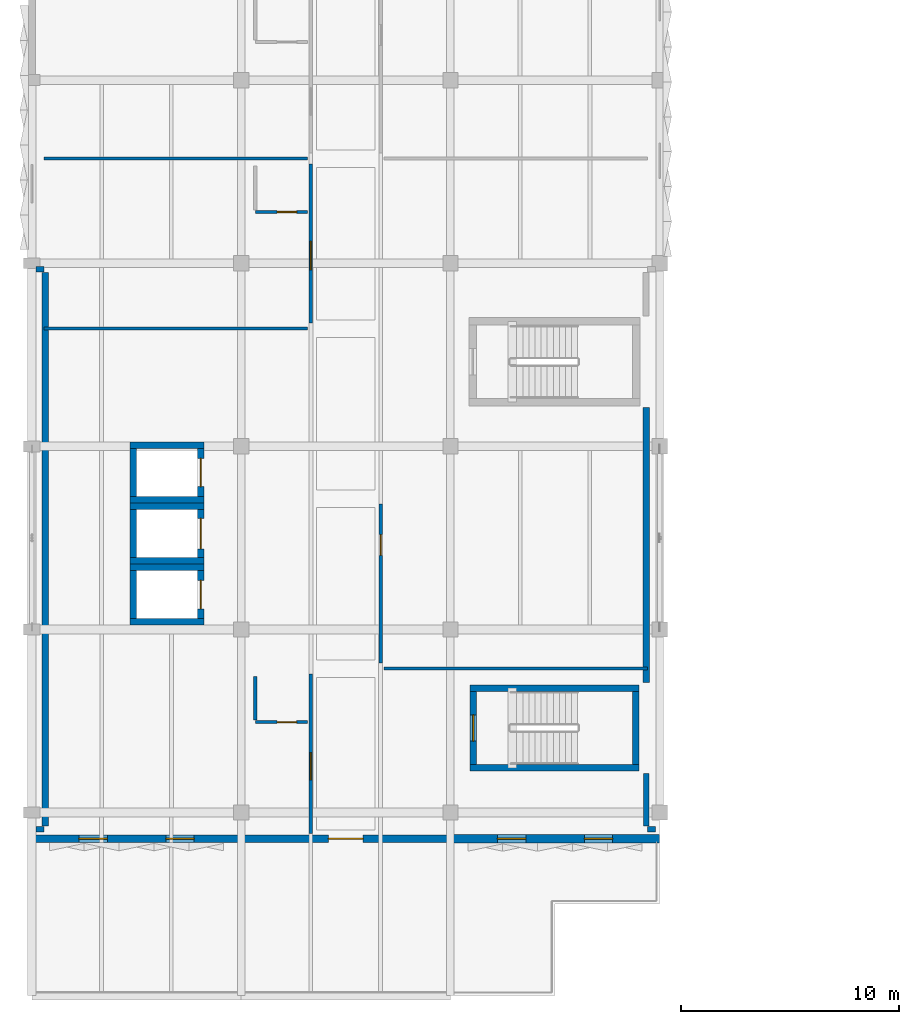
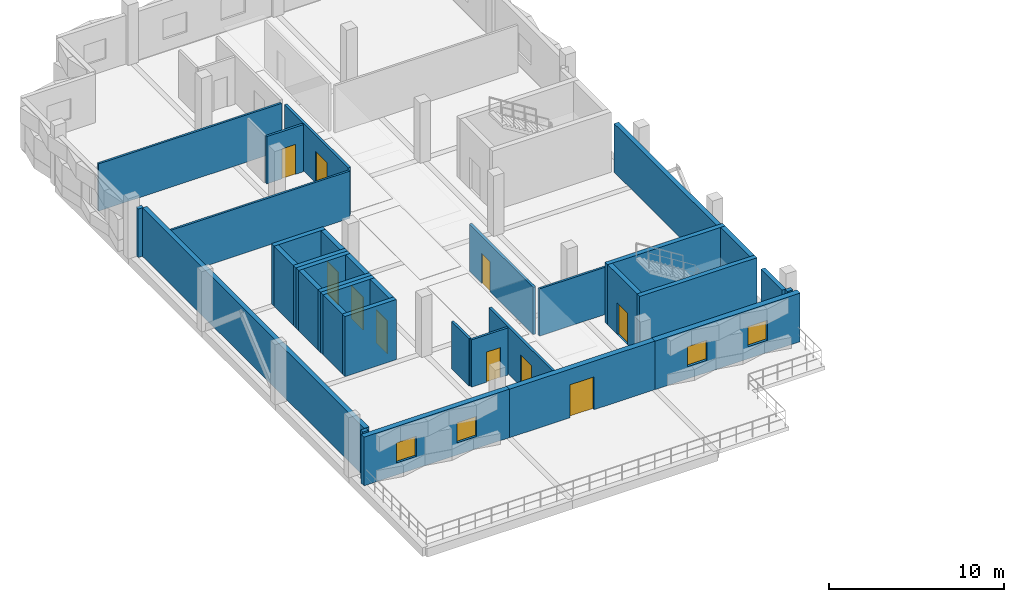
# One storey, part 12 of 24: 34 walls, 10 doors, 4 windows, 14 openings.
"""IFC4 building model written with IfcOpenShell, lengths in metres."""

from ifc_helpers import new_model, si_unit, direction, frame, frame_2d, origin, place, context, subcontext, project, spatial, rectangle, extrude, material, layer, layer_set, type_object, element, fill, save


model = new_model("IFC4")

# Units and contexts
model_context = context("Model", 3, precision=1e-05, world=origin(), true_north=direction((0.0, 1.0)))
body_context = subcontext(model_context, "Body", "Model", "MODEL_VIEW")
ifc_project = project(units=[si_unit("LENGTHUNIT", "METRE"), si_unit("AREAUNIT", "SQUARE_METRE"), si_unit("VOLUMEUNIT", "CUBIC_METRE"), si_unit("PLANEANGLEUNIT", "RADIAN"), si_unit("MASSUNIT", "GRAM", prefix="KILO")], contexts=[model_context])

# Site, building, storey
site_placement = place(None, origin())
site = spatial("IfcSite", under=ifc_project, at=site_placement, CompositionType="ELEMENT")
building_placement = place(site_placement, origin())
building = spatial("IfcBuilding", under=site, at=building_placement, Name="Oolite Switchyard Hospital", CompositionType="ELEMENT")
storey_placement = place(building_placement, frame((0.0, 0.0, 22.0)))
storey = spatial("IfcBuildingStorey", under=building, at=storey_placement, Name="L05", CompositionType="ELEMENT", Elevation=22.0)

# Walls
ifc_material_1 = material(Name="Precast oolitic limestone architectural concrete C40/50", Category="masonry")
ifc_layer_1 = layer(ifc_material_1, 0.260009765625)
ifc_layer_set_1 = layer_set([ifc_layer_1], Name="WAL-EXT-260")
wall_type_1 = type_object("IfcWallType", Name="WAL-EXT-260", PredefinedType="SOLIDWALL", material=ifc_layer_set_1)
for number, where, z_axis, x_axis, name in (
    (1, (0.199951171875, 41.239990234375, 0.0), (0.0, 0.0, 1.0), (1.0, 0.0, 0.0), "L05 Brace Alcove Cheek Wall 331"),
    (2, (0.199951171875, 66.919921875, 0.0), (0.0, 0.0, 1.0), (1.0, 0.0, 0.0), "L05 Brace Alcove Cheek Wall 332"),
    (3, (28.60009765625, 41.239990234375, 0.0), (0.0, 0.0, 1.0), (-1.0, 0.0, 0.0), "L05 Brace Alcove Cheek Wall 337"),
):
    element("IfcWall", number, at=place(storey_placement, frame(where, z_axis=z_axis, x_axis=x_axis)), inside=storey, type_object=wall_type_1, Name=name, PredefinedType="SOLIDWALL", context=body_context, shape_type="SweptSolid", body=[
        extrude(rectangle(XDim=0.360107421875, YDim=0.260009765625, at=frame_2d((0.18017578125, 0.0))), origin(), (0.0, 0.0, 1.0), 3.389892578125),
    ])
wall_1_placement = place(storey_placement, frame((28.179931640625, 43.800048828125, 0.0), z_axis=(0.0, 0.0, 1.0), x_axis=(0.0, -1.0, 0.0)))
element("IfcWall", 4, at=wall_1_placement, inside=storey, type_object=wall_type_1, Name="L05 Exterior Spandrel Wall 338", PredefinedType="SOLIDWALL", context=body_context, shape_type="SweptSolid", body=[
    extrude(rectangle(XDim=2.420166015625, YDim=0.260009765625, at=frame_2d((1.2099609375, 0.0))), origin(), (0.0, 0.0, 1.0), 3.389892578125),
])
ifc_layer_2 = layer(ifc_material_1, 0.300048828125)
ifc_layer_set_2 = layer_set([ifc_layer_2], Name="WAL-EXT-300")
wall_type_2 = type_object("IfcWallType", Name="WAL-EXT-300", PredefinedType="SOLIDWALL", material=ifc_layer_set_2)
wall_2_placement = place(storey_placement, frame((0.6201171875, 41.3798828125, 0.0), z_axis=(0.0, 0.0, 1.0), x_axis=(0.0, 1.0, 0.0)))
element("IfcWall", 5, at=wall_2_placement, inside=storey, type_object=wall_type_2, Name="L05 Exterior Spandrel Wall 333", PredefinedType="SOLIDWALL", context=body_context, shape_type="SweptSolid", body=[
    extrude(rectangle(XDim=25.400146484375, YDim=0.300048828125, at=frame_2d((12.7001953125, 0.0))), origin(), (0.0, 0.0, 1.0), 3.389892578125),
])
wall_3_placement = place(storey_placement, frame((28.179931640625, 60.574951171875, 0.0), z_axis=(0.0, 0.0, 1.0), x_axis=(0.0, -1.0, 0.0)))
element("IfcWall", 6, at=wall_3_placement, inside=storey, type_object=wall_type_2, Name="L05 Exterior Spandrel Wall 340", PredefinedType="SOLIDWALL", context=body_context, shape_type="SweptSolid", body=[
    extrude(rectangle(XDim=12.614990234375, YDim=0.300048828125, at=frame_2d((6.3076171875, 0.0))), origin(), (0.0, 0.0, 1.0), 3.389892578125),
])

# Wall, openings, windows
ifc_layer_3 = layer(ifc_material_1, 0.340087890625)
ifc_layer_set_3 = layer_set([ifc_layer_3], Name="WAL-EXT-340")
wall_type_3 = type_object("IfcWallType", Name="WAL-EXT-340", PredefinedType="SOLIDWALL", material=ifc_layer_set_3)
wall_4_placement = place(storey_placement, frame((9.60009765625, 40.800048828125, 0.0), z_axis=(0.0, 0.0, 1.0), x_axis=(-1.0, 0.0, 0.0)))
wall_4 = element("IfcWall", 7, at=wall_4_placement, inside=storey, type_object=wall_type_3, Name="L05 Exterior Spandrel Wall 307", PredefinedType="SOLIDWALL", context=body_context, shape_type="SweptSolid", body=[
    extrude(rectangle(XDim=9.60009765625, YDim=0.340087890625, at=frame_2d((4.800048828125, 0.0))), origin(), (0.0, 0.0, 1.0), 3.389892578125),
])
opening_1_placement = place(wall_4_placement, frame((2.157958984375, 0.0, 0.85009765625)))
opening_1 = element("IfcOpeningElement", 8, at=opening_1_placement, cuts=wall_4, Name="Opening WN-0186", PredefinedType="OPENING", context=body_context, shape_type="SweptSolid", body=[
    extrude(rectangle(XDim=1.300048828125, YDim=1.39990234375, at=frame_2d((0.64990234375, 0.699951171875))), frame((0.0, 0.18017578125, 0.0), z_axis=(0.0, -1.0, 0.0), x_axis=(1.0, 0.0, 0.0)), (0.0, 0.0, 1.0), 0.360107421875),
])
opening_2_placement = place(wall_4_placement, frame((6.14208984375, 0.0, 0.85009765625)))
opening_2 = element("IfcOpeningElement", 9, at=opening_2_placement, cuts=wall_4, Name="Opening WN-0187", PredefinedType="OPENING", context=body_context, shape_type="SweptSolid", body=[
    extrude(rectangle(XDim=1.300048828125, YDim=1.39990234375, at=frame_2d((0.64990234375, 0.699951171875))), frame((0.0, 0.18017578125, 0.0), z_axis=(0.0, -1.0, 0.0), x_axis=(1.0, 0.0, 0.0)), (0.0, 0.0, 1.0), 0.360107421875),
])
ifc_material_2 = material(Name="Thermally broken aluminum frame with laminated impact glazing", Category="aluminium")
window_type = type_object("IfcWindowType", Name="WIN-IMP-130X140", PartitioningType="SINGLE_PANEL", PredefinedType="WINDOW", material=ifc_material_2)
window_1_placement = place(opening_1_placement, origin())
window_1 = element("IfcWindow", 10, at=window_1_placement, inside=storey, type_object=window_type, Name="L05 Hurricane Impact Window WN-0186", OverallHeight=1.39990234375, OverallWidth=1.300048828125, PartitioningType="SINGLE_PANEL", PredefinedType="WINDOW", context=body_context, shape_type="SweptSolid", body=[
    extrude(rectangle(XDim=1.300048828125, YDim=1.39990234375, at=frame_2d((0.64990234375, 0.699951171875))), frame((0.0, 0.030029296875, 0.0), z_axis=(0.0, -1.0, 0.0), x_axis=(1.0, 0.0, 0.0)), (0.0, 0.0, 1.0), 0.06005859375),
])
fill(opening_1, window_1)
window_2_placement = place(opening_2_placement, origin())
window_2 = element("IfcWindow", 11, at=window_2_placement, inside=storey, type_object=window_type, Name="L05 Hurricane Impact Window WN-0187", OverallHeight=1.39990234375, OverallWidth=1.300048828125, PartitioningType="SINGLE_PANEL", PredefinedType="WINDOW", context=body_context, shape_type="SweptSolid", body=[
    extrude(rectangle(XDim=1.300048828125, YDim=1.39990234375, at=frame_2d((0.64990234375, 0.699951171875))), frame((0.0, 0.030029296875, 0.0), z_axis=(0.0, -1.0, 0.0), x_axis=(1.0, 0.0, 0.0)), (0.0, 0.0, 1.0), 0.06005859375),
])
fill(opening_2, window_2)

# Wall, opening, door
ifc_layer_4 = layer(ifc_material_1, 0.360107421875)
ifc_layer_set_4 = layer_set([ifc_layer_4], Name="WAL-EXT-360")
wall_type_4 = type_object("IfcWallType", Name="WAL-EXT-360", PredefinedType="SOLIDWALL", material=ifc_layer_set_4)
wall_5_placement = place(storey_placement, frame((19.199951171875, 40.800048828125, 0.0), z_axis=(0.0, 0.0, 1.0), x_axis=(-1.0, 0.0, 0.0)))
wall_5 = element("IfcWall", 12, at=wall_5_placement, inside=storey, type_object=wall_type_4, Name="L05 Exterior Spandrel Wall 308", PredefinedType="SOLIDWALL", context=body_context, shape_type="SweptSolid", body=[
    extrude(rectangle(XDim=9.599853515625, YDim=0.360107421875, at=frame_2d((4.7998046875, 0.0))), origin(), (0.0, 0.0, 1.0), 3.389892578125),
])
opening_3_placement = place(wall_5_placement, frame((4.0, 0.0, 0.0)))
opening_3 = element("IfcOpeningElement", 13, at=opening_3_placement, cuts=wall_5, Name="Opening EX-24", PredefinedType="OPENING", context=body_context, shape_type="SweptSolid", body=[
    extrude(rectangle(XDim=1.60009765625, YDim=2.300048828125, at=frame_2d((0.800048828125, 1.14990234375))), frame((0.0, 0.18994140625, 0.0), z_axis=(0.0, -1.0, 0.0), x_axis=(1.0, 0.0, 0.0)), (0.0, 0.0, 1.0), 0.380126953125),
])
door_type_1 = type_object("IfcDoorType", Name="DR-TER-160X230", OperationType="NOTDEFINED", PredefinedType="DOOR", material=ifc_material_2)
door_1_placement = place(opening_3_placement, origin())
door_1 = element("IfcDoor", 14, at=door_1_placement, inside=storey, type_object=door_type_1, Name="L05 Exterior EX EX-24", OperationType="SINGLE_SWING_LEFT", OverallHeight=2.300048828125, OverallWidth=1.60009765625, PredefinedType="DOOR", context=body_context, shape_type="SweptSolid", body=[
    extrude(rectangle(XDim=1.60009765625, YDim=2.300048828125, at=frame_2d((0.800048828125, 1.14990234375))), frame((0.0, 0.02490234375, 0.0), z_axis=(0.0, -1.0, 0.0), x_axis=(1.0, 0.0, 0.0)), (0.0, 0.0, 1.0), 0.050048828125),
])
fill(opening_3, door_1)

# Wall, openings, windows
ifc_layer_5 = layer(ifc_material_1, 0.3798828125)
ifc_layer_set_5 = layer_set([ifc_layer_5], Name="WAL-EXT-380")
wall_type_5 = type_object("IfcWallType", Name="WAL-EXT-380", PredefinedType="SOLIDWALL", material=ifc_layer_set_5)
wall_6_placement = place(storey_placement, frame((28.800048828125, 40.800048828125, 0.0), z_axis=(0.0, 0.0, 1.0), x_axis=(-1.0, 0.0, 0.0)))
wall_6 = element("IfcWall", 15, at=wall_6_placement, inside=storey, type_object=wall_type_5, Name="L05 Exterior Spandrel Wall 309", PredefinedType="SOLIDWALL", context=body_context, shape_type="SweptSolid", body=[
    extrude(rectangle(XDim=9.60009765625, YDim=0.3798828125, at=frame_2d((4.800048828125, 0.0))), origin(), (0.0, 0.0, 1.0), 3.389892578125),
])
opening_4_placement = place(wall_6_placement, frame((2.157958984375, 0.0, 0.85009765625)))
opening_4 = element("IfcOpeningElement", 16, at=opening_4_placement, cuts=wall_6, Name="Opening WN-0188", PredefinedType="OPENING", context=body_context, shape_type="SweptSolid", body=[
    extrude(rectangle(XDim=1.300048828125, YDim=1.39990234375, at=frame_2d((0.64990234375, 0.699951171875))), frame((0.0, 0.199951171875, 0.0), z_axis=(0.0, -1.0, 0.0), x_axis=(1.0, 0.0, 0.0)), (0.0, 0.0, 1.0), 0.39990234375),
])
opening_5_placement = place(wall_6_placement, frame((6.14208984375, 0.0, 0.85009765625)))
opening_5 = element("IfcOpeningElement", 17, at=opening_5_placement, cuts=wall_6, Name="Opening WN-0189", PredefinedType="OPENING", context=body_context, shape_type="SweptSolid", body=[
    extrude(rectangle(XDim=1.300048828125, YDim=1.39990234375, at=frame_2d((0.64990234375, 0.699951171875))), frame((0.0, 0.199951171875, 0.0), z_axis=(0.0, -1.0, 0.0), x_axis=(1.0, 0.0, 0.0)), (0.0, 0.0, 1.0), 0.39990234375),
])
window_3_placement = place(opening_4_placement, origin())
window_3 = element("IfcWindow", 18, at=window_3_placement, inside=storey, type_object=window_type, Name="L05 Hurricane Impact Window WN-0188", OverallHeight=1.39990234375, OverallWidth=1.300048828125, PartitioningType="SINGLE_PANEL", PredefinedType="WINDOW", context=body_context, shape_type="SweptSolid", body=[
    extrude(rectangle(XDim=1.300048828125, YDim=1.39990234375, at=frame_2d((0.64990234375, 0.699951171875))), frame((0.0, 0.030029296875, 0.0), z_axis=(0.0, -1.0, 0.0), x_axis=(1.0, 0.0, 0.0)), (0.0, 0.0, 1.0), 0.06005859375),
])
fill(opening_4, window_3)
window_4_placement = place(opening_5_placement, origin())
window_4 = element("IfcWindow", 19, at=window_4_placement, inside=storey, type_object=window_type, Name="L05 Hurricane Impact Window WN-0189", OverallHeight=1.39990234375, OverallWidth=1.300048828125, PartitioningType="SINGLE_PANEL", PredefinedType="WINDOW", context=body_context, shape_type="SweptSolid", body=[
    extrude(rectangle(XDim=1.300048828125, YDim=1.39990234375, at=frame_2d((0.64990234375, 0.699951171875))), frame((0.0, 0.030029296875, 0.0), z_axis=(0.0, -1.0, 0.0), x_axis=(1.0, 0.0, 0.0)), (0.0, 0.0, 1.0), 0.06005859375),
])
fill(opening_5, window_4)

# Walls
ifc_material_3 = material(Name="Moisture-resistant gypsum board on steel studs", Category="steel")
ifc_layer_6 = layer(ifc_material_3, 0.135009765625)
ifc_layer_set_6 = layer_set([ifc_layer_6], Name="WAL-PART-135")
wall_type_6 = type_object("IfcWallType", Name="WAL-PART-135", PredefinedType="PARTITIONING", material=ifc_layer_set_6)
wall_7_placement = place(storey_placement, frame((16.14990234375, 48.60009765625, 0.0), z_axis=(0.0, 0.0, 1.0), x_axis=(1.0, 0.0, 0.0)))
element("IfcWall", 20, at=wall_7_placement, inside=storey, type_object=wall_type_6, Name="L05 Interior Partition 833", PredefinedType="PARTITIONING", context=body_context, shape_type="SweptSolid", body=[
    extrude(rectangle(XDim=12.10009765625, YDim=0.135009765625, at=frame_2d((6.050048828125, 0.0))), origin(), (0.0, 0.0, 1.0), 3.300048828125),
])
for number, where, z_axis, x_axis, name in (
    (21, (0.550048828125, 64.199951171875, 0.0), (0.0, 0.0, 1.0), (1.0, 0.0, 0.0), "L05 Interior Partition 837"),
    (22, (0.550048828125, 72.0, 0.0), (0.0, 0.0, 1.0), (1.0, 0.0, 0.0), "L05 Interior Partition 841"),
):
    element("IfcWall", number, at=place(storey_placement, frame(where, z_axis=z_axis, x_axis=x_axis)), inside=storey, type_object=wall_type_6, Name=name, PredefinedType="PARTITIONING", context=body_context, shape_type="SweptSolid", body=[
        extrude(rectangle(XDim=12.099853515625, YDim=0.135009765625, at=frame_2d((6.0498046875, 0.0))), origin(), (0.0, 0.0, 1.0), 3.300048828125),
    ])

# Wall, opening, door
ifc_layer_7 = layer(ifc_material_3, 0.14990234375)
ifc_layer_set_7 = layer_set([ifc_layer_7], Name="WAL-PART-150")
wall_type_7 = type_object("IfcWallType", Name="WAL-PART-150", PredefinedType="PARTITIONING", material=ifc_layer_set_7)
wall_8_placement = place(storey_placement, frame((10.25, 46.14990234375, 0.0), z_axis=(0.0, 0.0, 1.0), x_axis=(1.0, 0.0, 0.0)))
wall_8 = element("IfcWall", 23, at=wall_8_placement, inside=storey, type_object=wall_type_7, Name="L05 Interior Partition 830", PredefinedType="PARTITIONING", context=body_context, shape_type="SweptSolid", body=[
    extrude(rectangle(XDim=2.39990234375, YDim=0.14990234375, at=frame_2d((1.199951171875, 0.0))), origin(), (0.0, 0.0, 1.0), 3.300048828125),
])
opening_6_placement = place(wall_8_placement, frame((1.0, 0.0, 0.0)))
opening_6 = element("IfcOpeningElement", 24, at=opening_6_placement, cuts=wall_8, Name="Opening D-0461", PredefinedType="OPENING", context=body_context, shape_type="SweptSolid", body=[
    extrude(rectangle(XDim=0.89990234375, YDim=2.10009765625, at=frame_2d((0.449951171875, 1.050048828125))), frame((0.0, 0.0849609375, 0.0), z_axis=(0.0, -1.0, 0.0), x_axis=(1.0, 0.0, 0.0)), (0.0, 0.0, 1.0), 0.169921875),
])
ifc_material_4 = material(Name="Solid-core antimicrobial hardwood leaf in steel frame", Category="steel")
door_type_2 = type_object("IfcDoorType", Name="DR-BATH-090X210", OperationType="NOTDEFINED", PredefinedType="DOOR", material=ifc_material_4)
door_2_placement = place(opening_6_placement, origin())
door_2 = element("IfcDoor", 25, at=door_2_placement, inside=storey, type_object=door_type_2, Name="L05 Interior Door D-0461", OperationType="SINGLE_SWING_RIGHT", OverallHeight=2.10009765625, OverallWidth=0.89990234375, PredefinedType="DOOR", context=body_context, shape_type="SweptSolid", body=[
    extrude(rectangle(XDim=0.89990234375, YDim=2.10009765625, at=frame_2d((0.449951171875, 1.050048828125))), frame((0.0, 0.02490234375, 0.0), z_axis=(0.0, -1.0, 0.0), x_axis=(1.0, 0.0, 0.0)), (0.0, 0.0, 1.0), 0.050048828125),
])
fill(opening_6, door_2)

# Wall
wall_9_placement = place(storey_placement, frame((10.25, 46.25, 0.0), z_axis=(0.0, 0.0, 1.0), x_axis=(0.0, 1.0, 0.0)))
element("IfcWall", 26, at=wall_9_placement, inside=storey, type_object=wall_type_7, Name="L05 Interior Partition 831", PredefinedType="PARTITIONING", context=body_context, shape_type="SweptSolid", body=[
    extrude(rectangle(XDim=2.0, YDim=0.14990234375, at=frame_2d((1.0, 0.0))), origin(), (0.0, 0.0, 1.0), 3.300048828125),
])

# Wall, opening, door
wall_10_placement = place(storey_placement, frame((10.25, 69.550048828125, 0.0), z_axis=(0.0, 0.0, 1.0), x_axis=(1.0, 0.0, 0.0)))
wall_10 = element("IfcWall", 27, at=wall_10_placement, inside=storey, type_object=wall_type_7, Name="L05 Interior Partition 835", PredefinedType="PARTITIONING", context=body_context, shape_type="SweptSolid", body=[
    extrude(rectangle(XDim=2.39990234375, YDim=0.14990234375, at=frame_2d((1.199951171875, 0.0))), origin(), (0.0, 0.0, 1.0), 3.300048828125),
])
opening_7_placement = place(wall_10_placement, frame((1.0, 0.0, 0.0)))
opening_7 = element("IfcOpeningElement", 28, at=opening_7_placement, cuts=wall_10, Name="Opening D-0464", PredefinedType="OPENING", context=body_context, shape_type="SweptSolid", body=[
    extrude(rectangle(XDim=0.89990234375, YDim=2.10009765625, at=frame_2d((0.449951171875, 1.050048828125))), frame((0.0, 0.0849609375, 0.0), z_axis=(0.0, -1.0, 0.0), x_axis=(1.0, 0.0, 0.0)), (0.0, 0.0, 1.0), 0.169921875),
])
door_3_placement = place(opening_7_placement, origin())
door_3 = element("IfcDoor", 29, at=door_3_placement, inside=storey, type_object=door_type_2, Name="L05 Interior Door D-0464", OperationType="SINGLE_SWING_LEFT", OverallHeight=2.10009765625, OverallWidth=0.89990234375, PredefinedType="DOOR", context=body_context, shape_type="SweptSolid", body=[
    extrude(rectangle(XDim=0.89990234375, YDim=2.10009765625, at=frame_2d((0.449951171875, 1.050048828125))), frame((0.0, 0.02490234375, 0.0), z_axis=(0.0, -1.0, 0.0), x_axis=(1.0, 0.0, 0.0)), (0.0, 0.0, 1.0), 0.050048828125),
])
fill(opening_7, door_3)

ifc_layer_8 = layer(ifc_material_3, 0.1650390625)
ifc_layer_set_8 = layer_set([ifc_layer_8], Name="WAL-PART-165")
wall_type_8 = type_object("IfcWallType", Name="WAL-PART-165", PredefinedType="PARTITIONING", material=ifc_layer_set_8)
wall_11_placement = place(storey_placement, frame((12.800048828125, 41.050048828125, 0.0), z_axis=(0.0, 0.0, 1.0), x_axis=(0.0, 1.0, 0.0)))
wall_11 = element("IfcWall", 30, at=wall_11_placement, inside=storey, type_object=wall_type_8, Name="L05 Interior Partition 829", PredefinedType="PARTITIONING", context=body_context, shape_type="SweptSolid", body=[
    extrude(rectangle(XDim=7.300048828125, YDim=0.1650390625, at=frame_2d((3.64990234375, 0.0))), origin(), (0.0, 0.0, 1.0), 3.300048828125),
])
opening_8_placement = place(wall_11_placement, frame((2.449951171875, 0.0, 0.0)))
opening_8 = element("IfcOpeningElement", 31, at=opening_8_placement, cuts=wall_11, Name="Opening D-0460", PredefinedType="OPENING", context=body_context, shape_type="SweptSolid", body=[
    extrude(rectangle(XDim=1.25, YDim=2.199951171875, at=frame_2d((0.625, 1.10009765625))), frame((0.0, 0.092529296875, 0.0), z_axis=(0.0, -1.0, 0.0), x_axis=(1.0, 0.0, 0.0)), (0.0, 0.0, 1.0), 0.18505859375),
])
door_type_3 = type_object("IfcDoorType", Name="DR-WARD-125X220", OperationType="NOTDEFINED", PredefinedType="DOOR", material=ifc_material_4)
door_4_placement = place(opening_8_placement, origin())
door_4 = element("IfcDoor", 32, at=door_4_placement, inside=storey, type_object=door_type_3, Name="L05 Interior Door D-0460", OperationType="SINGLE_SWING_LEFT", OverallHeight=2.199951171875, OverallWidth=1.25, PredefinedType="DOOR", context=body_context, shape_type="SweptSolid", body=[
    extrude(rectangle(XDim=1.25, YDim=2.199951171875, at=frame_2d((0.625, 1.10009765625))), frame((0.0, 0.02490234375, 0.0), z_axis=(0.0, -1.0, 0.0), x_axis=(1.0, 0.0, 0.0)), (0.0, 0.0, 1.0), 0.050048828125),
])
fill(opening_8, door_4)

wall_12_placement = place(storey_placement, frame((16.0, 48.85009765625, 0.0), z_axis=(0.0, 0.0, 1.0), x_axis=(0.0, 1.0, 0.0)))
wall_12 = element("IfcWall", 33, at=wall_12_placement, inside=storey, type_object=wall_type_8, Name="L05 Interior Partition 832", PredefinedType="PARTITIONING", context=body_context, shape_type="SweptSolid", body=[
    extrude(rectangle(XDim=7.2998046875, YDim=0.1650390625, at=frame_2d((3.64990234375, 0.0))), origin(), (0.0, 0.0, 1.0), 3.300048828125),
])
opening_9_placement = place(wall_12_placement, frame((4.949951171875, 0.0, 0.0)))
opening_9 = element("IfcOpeningElement", 34, at=opening_9_placement, cuts=wall_12, Name="Opening D-0462", PredefinedType="OPENING", context=body_context, shape_type="SweptSolid", body=[
    extrude(rectangle(XDim=0.949951171875, YDim=2.10009765625, at=frame_2d((0.47509765625, 1.050048828125))), frame((0.0, 0.092529296875, 0.0), z_axis=(0.0, -1.0, 0.0), x_axis=(1.0, 0.0, 0.0)), (0.0, 0.0, 1.0), 0.18505859375),
])
door_type_4 = type_object("IfcDoorType", Name="DR-BATH-095X210", OperationType="NOTDEFINED", PredefinedType="DOOR", material=ifc_material_4)
door_5_placement = place(opening_9_placement, origin())
door_5 = element("IfcDoor", 35, at=door_5_placement, inside=storey, type_object=door_type_4, Name="L05 Interior Door D-0462", OperationType="SINGLE_SWING_LEFT", OverallHeight=2.10009765625, OverallWidth=0.949951171875, PredefinedType="DOOR", context=body_context, shape_type="SweptSolid", body=[
    extrude(rectangle(XDim=0.949951171875, YDim=2.10009765625, at=frame_2d((0.47509765625, 1.050048828125))), frame((0.0, 0.02490234375, 0.0), z_axis=(0.0, -1.0, 0.0), x_axis=(1.0, 0.0, 0.0)), (0.0, 0.0, 1.0), 0.050048828125),
])
fill(opening_9, door_5)

wall_13_placement = place(storey_placement, frame((12.800048828125, 64.449951171875, 0.0), z_axis=(0.0, 0.0, 1.0), x_axis=(0.0, 1.0, 0.0)))
wall_13 = element("IfcWall", 36, at=wall_13_placement, inside=storey, type_object=wall_type_8, Name="L05 Interior Partition 834", PredefinedType="PARTITIONING", context=body_context, shape_type="SweptSolid", body=[
    extrude(rectangle(XDim=7.300048828125, YDim=0.1650390625, at=frame_2d((3.64990234375, 0.0))), origin(), (0.0, 0.0, 1.0), 3.300048828125),
])
opening_10_placement = place(wall_13_placement, frame((2.449951171875, 0.0, 0.0)))
opening_10 = element("IfcOpeningElement", 37, at=opening_10_placement, cuts=wall_13, Name="Opening D-0463", PredefinedType="OPENING", context=body_context, shape_type="SweptSolid", body=[
    extrude(rectangle(XDim=1.300048828125, YDim=2.199951171875, at=frame_2d((0.64990234375, 1.10009765625))), frame((0.0, 0.092529296875, 0.0), z_axis=(0.0, -1.0, 0.0), x_axis=(1.0, 0.0, 0.0)), (0.0, 0.0, 1.0), 0.18505859375),
])
door_type_5 = type_object("IfcDoorType", Name="DR-WARD-130X220", OperationType="NOTDEFINED", PredefinedType="DOOR", material=ifc_material_4)
door_6_placement = place(opening_10_placement, origin())
door_6 = element("IfcDoor", 38, at=door_6_placement, inside=storey, type_object=door_type_5, Name="L05 Interior Door D-0463", OperationType="SINGLE_SWING_RIGHT", OverallHeight=2.199951171875, OverallWidth=1.300048828125, PredefinedType="DOOR", context=body_context, shape_type="SweptSolid", body=[
    extrude(rectangle(XDim=1.300048828125, YDim=2.199951171875, at=frame_2d((0.64990234375, 1.10009765625))), frame((0.0, 0.02490234375, 0.0), z_axis=(0.0, -1.0, 0.0), x_axis=(1.0, 0.0, 0.0)), (0.0, 0.0, 1.0), 0.050048828125),
])
fill(opening_10, door_6)

# Walls
ifc_material_5 = material(Name="Concrete C50/60", Category="concrete")
ifc_layer_9 = layer(ifc_material_5, 0.300048828125)
ifc_layer_set_9 = layer_set([ifc_layer_9], Name="WAL-SHR-300")
wall_type_9 = type_object("IfcWallType", Name="WAL-SHR-300", PredefinedType="SHEAR", material=ifc_layer_set_9)
wall_14_placement = place(storey_placement, frame((20.10009765625, 44.050048828125, 0.0), z_axis=(0.0, 0.0, 1.0), x_axis=(1.0, 0.0, 0.0)))
element("IfcWall", 39, at=wall_14_placement, inside=storey, type_object=wall_type_9, Name="L05 Core Shear Wall ST-01", PredefinedType="SHEAR", context=body_context, shape_type="SweptSolid", body=[
    extrude(rectangle(XDim=7.75, YDim=0.300048828125, at=frame_2d((3.875, 0.0))), origin(), (0.0, 0.0, 1.0), 4.199951171875),
])
wall_15_placement = place(storey_placement, frame((27.699951171875, 44.199951171875, 0.0), z_axis=(0.0, 0.0, 1.0), x_axis=(0.0, 1.0, 0.0)))
element("IfcWall", 40, at=wall_15_placement, inside=storey, type_object=wall_type_9, Name="L05 Core Shear Wall ST-01", PredefinedType="SHEAR", context=body_context, shape_type="SweptSolid", body=[
    extrude(rectangle(XDim=3.360107421875, YDim=0.300048828125, at=frame_2d((1.68017578125, 0.0))), origin(), (0.0, 0.0, 1.0), 4.199951171875),
])
wall_16_placement = place(storey_placement, frame((27.85009765625, 47.7099609375, 0.0), z_axis=(0.0, 0.0, 1.0), x_axis=(-1.0, 0.0, 0.0)))
element("IfcWall", 41, at=wall_16_placement, inside=storey, type_object=wall_type_9, Name="L05 Core Shear Wall ST-01", PredefinedType="SHEAR", context=body_context, shape_type="SweptSolid", body=[
    extrude(rectangle(XDim=7.75, YDim=0.300048828125, at=frame_2d((3.875, 0.0))), origin(), (0.0, 0.0, 1.0), 4.199951171875),
])

# Wall, opening, door
wall_17_placement = place(storey_placement, frame((20.25, 47.56005859375, 0.0), z_axis=(0.0, 0.0, 1.0), x_axis=(0.0, -1.0, 0.0)))
wall_17 = element("IfcWall", 42, at=wall_17_placement, inside=storey, type_object=wall_type_9, Name="L05 Core Shear Wall ST-01", PredefinedType="SHEAR", context=body_context, shape_type="SweptSolid", body=[
    extrude(rectangle(XDim=3.360107421875, YDim=0.300048828125, at=frame_2d((1.68017578125, 0.0))), origin(), (0.0, 0.0, 1.0), 4.199951171875),
])
opening_11_placement = place(wall_17_placement, frame((1.080078125, 0.0, 0.0)))
opening_11 = element("IfcOpeningElement", 43, at=opening_11_placement, cuts=wall_17, Name="Opening SD-006", PredefinedType="OPENING", context=body_context, shape_type="SweptSolid", body=[
    extrude(rectangle(XDim=1.199951171875, YDim=2.199951171875, at=frame_2d((0.60009765625, 1.10009765625))), frame((0.0, 0.16015625, 0.0), z_axis=(0.0, -1.0, 0.0), x_axis=(1.0, 0.0, 0.0)), (0.0, 0.0, 1.0), 0.320068359375),
])
ifc_material_6 = material(Name="Hollow metal fire-rated steel door assembly", Category="steel")
door_type_6 = type_object("IfcDoorType", Name="DR-STR-120X220", OperationType="NOTDEFINED", PredefinedType="DOOR", material=ifc_material_6)
door_7_placement = place(opening_11_placement, origin())
door_7 = element("IfcDoor", 44, at=door_7_placement, inside=storey, type_object=door_type_6, Name="L05 ST-01 Exit Stair Door SD-006", OperationType="SINGLE_SWING_RIGHT", OverallHeight=2.199951171875, OverallWidth=1.199951171875, PredefinedType="DOOR", context=body_context, shape_type="SweptSolid", body=[
    extrude(rectangle(XDim=1.199951171875, YDim=2.199951171875, at=frame_2d((0.60009765625, 1.10009765625))), frame((0.0, 0.02490234375, 0.0), z_axis=(0.0, -1.0, 0.0), x_axis=(1.0, 0.0, 0.0)), (0.0, 0.0, 1.0), 0.050048828125),
])
fill(opening_11, door_7)

# Wall
wall_18_placement = place(storey_placement, frame((4.5, 50.75, 0.0), z_axis=(0.0, 0.0, 1.0), x_axis=(1.0, 0.0, 0.0)))
element("IfcWall", 45, at=wall_18_placement, inside=storey, type_object=wall_type_9, Name="L05 Lift Shaft Shear Wall EL-05", PredefinedType="SHEAR", context=body_context, shape_type="SweptSolid", body=[
    extrude(rectangle(XDim=3.39990234375, YDim=0.300048828125, at=frame_2d((1.699951171875, 0.0))), origin(), (0.0, 0.0, 1.0), 4.199951171875),
])

# Wall, opening, door
wall_19_placement = place(storey_placement, frame((7.75, 50.89990234375, 0.0), z_axis=(0.0, 0.0, 1.0), x_axis=(0.0, 1.0, 0.0)))
wall_19 = element("IfcWall", 46, at=wall_19_placement, inside=storey, type_object=wall_type_9, Name="L05 Lift Shaft Shear Wall EL-05", PredefinedType="SHEAR", context=body_context, shape_type="SweptSolid", body=[
    extrude(rectangle(XDim=2.2001953125, YDim=0.300048828125, at=frame_2d((1.10009765625, 0.0))), origin(), (0.0, 0.0, 1.0), 4.199951171875),
])
opening_12_placement = place(wall_19_placement, frame((0.449951171875, 0.0, 0.0)))
opening_12 = element("IfcOpeningElement", 47, at=opening_12_placement, cuts=wall_19, Name="Opening LD-040", PredefinedType="OPENING", context=body_context, shape_type="SweptSolid", body=[
    extrude(rectangle(XDim=1.300048828125, YDim=2.300048828125, at=frame_2d((0.64990234375, 1.14990234375))), frame((0.0, 0.16015625, 0.0), z_axis=(0.0, -1.0, 0.0), x_axis=(1.0, 0.0, 0.0)), (0.0, 0.0, 1.0), 0.320068359375),
])
ifc_material_7 = material(Name="Brushed stainless steel fire-rated sliding landing door", Category="steel")
door_type_7 = type_object("IfcDoorType", Name="DR-LD-130X230", OperationType="NOTDEFINED", PredefinedType="DOOR", material=ifc_material_7)
door_8_placement = place(opening_12_placement, origin())
door_8 = element("IfcDoor", 48, at=door_8_placement, inside=storey, type_object=door_type_7, Name="L05 EL-05 Lift Landing Door LD-040", OperationType="SLIDING_TO_RIGHT", OverallHeight=2.300048828125, OverallWidth=1.300048828125, PredefinedType="DOOR", context=body_context, shape_type="SweptSolid", body=[
    extrude(rectangle(XDim=1.300048828125, YDim=2.300048828125, at=frame_2d((0.64990234375, 1.14990234375))), frame((0.0, 0.02490234375, 0.0), z_axis=(0.0, -1.0, 0.0), x_axis=(1.0, 0.0, 0.0)), (0.0, 0.0, 1.0), 0.050048828125),
])
fill(opening_12, door_8)

# Walls
wall_20_placement = place(storey_placement, frame((7.89990234375, 53.25, 0.0), z_axis=(0.0, 0.0, 1.0), x_axis=(-1.0, 0.0, 0.0)))
element("IfcWall", 49, at=wall_20_placement, inside=storey, type_object=wall_type_9, Name="L05 Lift Shaft Shear Wall EL-05", PredefinedType="SHEAR", context=body_context, shape_type="SweptSolid", body=[
    extrude(rectangle(XDim=3.39990234375, YDim=0.300048828125, at=frame_2d((1.699951171875, 0.0))), origin(), (0.0, 0.0, 1.0), 4.199951171875),
])
wall_21_placement = place(storey_placement, frame((4.64990234375, 53.10009765625, 0.0), z_axis=(0.0, 0.0, 1.0), x_axis=(0.0, -1.0, 0.0)))
element("IfcWall", 50, at=wall_21_placement, inside=storey, type_object=wall_type_9, Name="L05 Lift Shaft Shear Wall EL-05", PredefinedType="SHEAR", context=body_context, shape_type="SweptSolid", body=[
    extrude(rectangle(XDim=2.2001953125, YDim=0.300048828125, at=frame_2d((1.10009765625, 0.0))), origin(), (0.0, 0.0, 1.0), 4.199951171875),
])
wall_22_placement = place(storey_placement, frame((4.5, 53.550048828125, 0.0), z_axis=(0.0, 0.0, 1.0), x_axis=(1.0, 0.0, 0.0)))
element("IfcWall", 51, at=wall_22_placement, inside=storey, type_object=wall_type_9, Name="L05 Lift Shaft Shear Wall EL-06", PredefinedType="SHEAR", context=body_context, shape_type="SweptSolid", body=[
    extrude(rectangle(XDim=3.39990234375, YDim=0.300048828125, at=frame_2d((1.699951171875, 0.0))), origin(), (0.0, 0.0, 1.0), 4.199951171875),
])

# Wall, opening, door
wall_23_placement = place(storey_placement, frame((7.75, 53.699951171875, 0.0), z_axis=(0.0, 0.0, 1.0), x_axis=(0.0, 1.0, 0.0)))
wall_23 = element("IfcWall", 52, at=wall_23_placement, inside=storey, type_object=wall_type_9, Name="L05 Lift Shaft Shear Wall EL-06", PredefinedType="SHEAR", context=body_context, shape_type="SweptSolid", body=[
    extrude(rectangle(XDim=2.199951171875, YDim=0.300048828125, at=frame_2d((1.10009765625, 0.0))), origin(), (0.0, 0.0, 1.0), 4.199951171875),
])
opening_13_placement = place(wall_23_placement, frame((0.39990234375, 0.0, 0.0)))
opening_13 = element("IfcOpeningElement", 53, at=opening_13_placement, cuts=wall_23, Name="Opening LD-047", PredefinedType="OPENING", context=body_context, shape_type="SweptSolid", body=[
    extrude(rectangle(XDim=1.39990234375, YDim=2.300048828125, at=frame_2d((0.699951171875, 1.14990234375))), frame((0.0, 0.16015625, 0.0), z_axis=(0.0, -1.0, 0.0), x_axis=(1.0, 0.0, 0.0)), (0.0, 0.0, 1.0), 0.320068359375),
])
door_type_8 = type_object("IfcDoorType", Name="DR-LD-140X230", OperationType="NOTDEFINED", PredefinedType="DOOR", material=ifc_material_7)
door_9_placement = place(opening_13_placement, origin())
door_9 = element("IfcDoor", 54, at=door_9_placement, inside=storey, type_object=door_type_8, Name="L05 EL-06 Lift Landing Door LD-047", OperationType="SLIDING_TO_LEFT", OverallHeight=2.300048828125, OverallWidth=1.39990234375, PredefinedType="DOOR", context=body_context, shape_type="SweptSolid", body=[
    extrude(rectangle(XDim=1.39990234375, YDim=2.300048828125, at=frame_2d((0.699951171875, 1.14990234375))), frame((0.0, 0.02490234375, 0.0), z_axis=(0.0, -1.0, 0.0), x_axis=(1.0, 0.0, 0.0)), (0.0, 0.0, 1.0), 0.050048828125),
])
fill(opening_13, door_9)

# Walls
wall_24_placement = place(storey_placement, frame((7.89990234375, 56.050048828125, 0.0), z_axis=(0.0, 0.0, 1.0), x_axis=(-1.0, 0.0, 0.0)))
element("IfcWall", 55, at=wall_24_placement, inside=storey, type_object=wall_type_9, Name="L05 Lift Shaft Shear Wall EL-06", PredefinedType="SHEAR", context=body_context, shape_type="SweptSolid", body=[
    extrude(rectangle(XDim=3.39990234375, YDim=0.300048828125, at=frame_2d((1.699951171875, 0.0))), origin(), (0.0, 0.0, 1.0), 4.199951171875),
])
wall_25_placement = place(storey_placement, frame((4.64990234375, 55.89990234375, 0.0), z_axis=(0.0, 0.0, 1.0), x_axis=(0.0, -1.0, 0.0)))
element("IfcWall", 56, at=wall_25_placement, inside=storey, type_object=wall_type_9, Name="L05 Lift Shaft Shear Wall EL-06", PredefinedType="SHEAR", context=body_context, shape_type="SweptSolid", body=[
    extrude(rectangle(XDim=2.199951171875, YDim=0.300048828125, at=frame_2d((1.10009765625, 0.0))), origin(), (0.0, 0.0, 1.0), 4.199951171875),
])
wall_26_placement = place(storey_placement, frame((4.5, 56.35009765625, 0.0), z_axis=(0.0, 0.0, 1.0), x_axis=(1.0, 0.0, 0.0)))
element("IfcWall", 57, at=wall_26_placement, inside=storey, type_object=wall_type_9, Name="L05 Lift Shaft Shear Wall EL-07", PredefinedType="SHEAR", context=body_context, shape_type="SweptSolid", body=[
    extrude(rectangle(XDim=3.39990234375, YDim=0.300048828125, at=frame_2d((1.699951171875, 0.0))), origin(), (0.0, 0.0, 1.0), 4.199951171875),
])

# Wall, opening, door
wall_27_placement = place(storey_placement, frame((7.75, 56.5, 0.0), z_axis=(0.0, 0.0, 1.0), x_axis=(0.0, 1.0, 0.0)))
wall_27 = element("IfcWall", 58, at=wall_27_placement, inside=storey, type_object=wall_type_9, Name="L05 Lift Shaft Shear Wall EL-07", PredefinedType="SHEAR", context=body_context, shape_type="SweptSolid", body=[
    extrude(rectangle(XDim=2.199951171875, YDim=0.300048828125, at=frame_2d((1.10009765625, 0.0))), origin(), (0.0, 0.0, 1.0), 4.199951171875),
])
opening_14_placement = place(wall_27_placement, frame((0.449951171875, 0.0, 0.0)))
opening_14 = element("IfcOpeningElement", 59, at=opening_14_placement, cuts=wall_27, Name="Opening LD-054", PredefinedType="OPENING", context=body_context, shape_type="SweptSolid", body=[
    extrude(rectangle(XDim=1.300048828125, YDim=2.300048828125, at=frame_2d((0.64990234375, 1.14990234375))), frame((0.0, 0.16015625, 0.0), z_axis=(0.0, -1.0, 0.0), x_axis=(1.0, 0.0, 0.0)), (0.0, 0.0, 1.0), 0.320068359375),
])
door_10_placement = place(opening_14_placement, origin())
door_10 = element("IfcDoor", 60, at=door_10_placement, inside=storey, type_object=door_type_7, Name="L05 EL-07 Lift Landing Door LD-054", OperationType="SLIDING_TO_RIGHT", OverallHeight=2.300048828125, OverallWidth=1.300048828125, PredefinedType="DOOR", context=body_context, shape_type="SweptSolid", body=[
    extrude(rectangle(XDim=1.300048828125, YDim=2.300048828125, at=frame_2d((0.64990234375, 1.14990234375))), frame((0.0, 0.02490234375, 0.0), z_axis=(0.0, -1.0, 0.0), x_axis=(1.0, 0.0, 0.0)), (0.0, 0.0, 1.0), 0.050048828125),
])
fill(opening_14, door_10)

# Walls
wall_28_placement = place(storey_placement, frame((7.89990234375, 58.85009765625, 0.0), z_axis=(0.0, 0.0, 1.0), x_axis=(-1.0, 0.0, 0.0)))
element("IfcWall", 61, at=wall_28_placement, inside=storey, type_object=wall_type_9, Name="L05 Lift Shaft Shear Wall EL-07", PredefinedType="SHEAR", context=body_context, shape_type="SweptSolid", body=[
    extrude(rectangle(XDim=3.39990234375, YDim=0.300048828125, at=frame_2d((1.699951171875, 0.0))), origin(), (0.0, 0.0, 1.0), 4.199951171875),
])
wall_29_placement = place(storey_placement, frame((4.64990234375, 58.699951171875, 0.0), z_axis=(0.0, 0.0, 1.0), x_axis=(0.0, -1.0, 0.0)))
element("IfcWall", 62, at=wall_29_placement, inside=storey, type_object=wall_type_9, Name="L05 Lift Shaft Shear Wall EL-07", PredefinedType="SHEAR", context=body_context, shape_type="SweptSolid", body=[
    extrude(rectangle(XDim=2.199951171875, YDim=0.300048828125, at=frame_2d((1.10009765625, 0.0))), origin(), (0.0, 0.0, 1.0), 4.199951171875),
])

save(model, "model.ifc")
